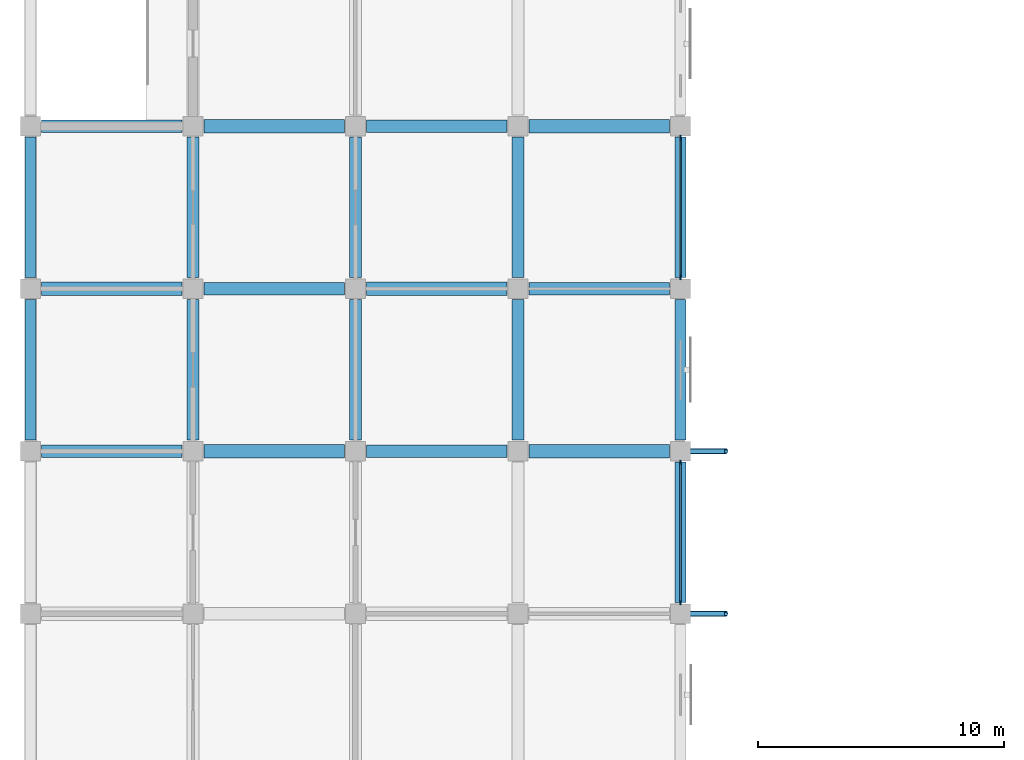
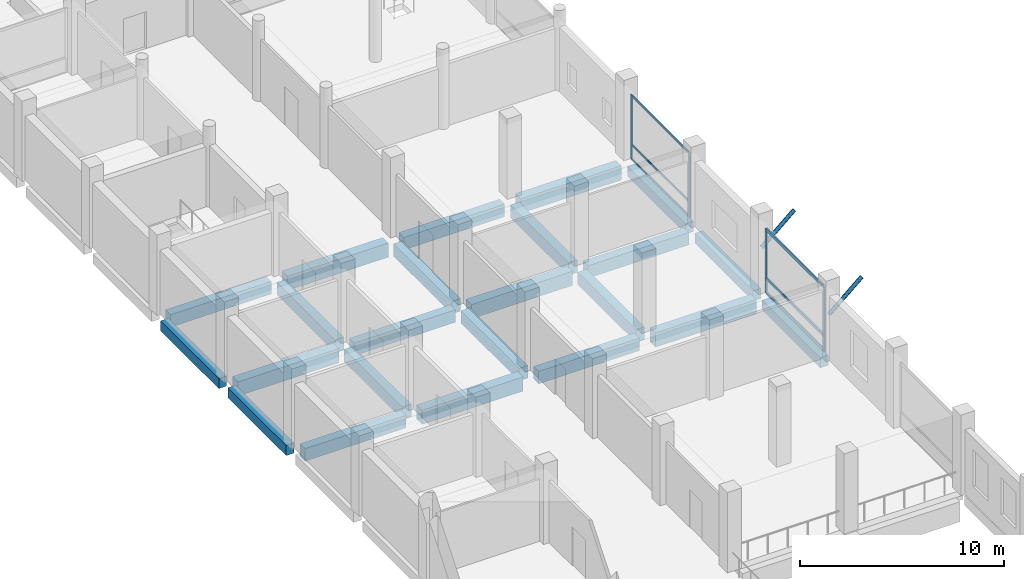
# One storey, part 12 of 34: 23 beams, 12 members, 2 elements without a shape of their own.
"""IFC4 building model written with IfcOpenShell, lengths in metres."""

import ifcopenshell
import ifcopenshell.guid

model = None  # the IFC model being written
_history = None  # IfcOwnerHistory: only IFC2X3 demands one
_inside = {}  # id of a spatial element -> (the spatial element, [elements in it])
_under = {}  # id of a project, library or spatial element -> (it, [spatial elements below it])
_declared = {}  # id of a project -> (the project, [libraries it declares])
_typed = {}  # id of a type object -> (the type object, [elements of that type])
_made_of = {}  # id of a material, layer set ... -> (it, [elements and type objects made of it])


def new_model(schema):
    """Start an empty IFC model of exactly this schema.

    Asked for "IFC4X3", IfcOpenShell would pick the latest addendum, in which some entities
    have other attributes; the version numbers below select the first issue.
    IFC2X3 requires an IfcOwnerHistory on every rooted entity: one is made here for all.
    """
    global model, _history
    if schema == "IFC4X3":
        model = ifcopenshell.file(schema_version=(4, 3, 0, 0))
    else:
        model = ifcopenshell.file(schema=schema)
    _inside.clear()
    _under.clear()
    _declared.clear()
    _typed.clear()
    _made_of.clear()
    _history = None
    if model.schema == "IFC2X3":
        org = make("IfcOrganization", Name="unknown")
        user = make(
            "IfcPersonAndOrganization",
            ThePerson=make("IfcPerson", FamilyName="unknown"),
            TheOrganization=org,
        )
        app = make(
            "IfcApplication",
            ApplicationDeveloper=org,
            Version="unknown",
            ApplicationFullName="unknown",
            ApplicationIdentifier="unknown",
        )
        _history = make(
            "IfcOwnerHistory",
            OwningUser=user,
            OwningApplication=app,
            ChangeAction="ADDED",
            CreationDate=0,
        )
    return model


def make(cls, **values):
    """One entity of the class cls with the attributes given. An attribute that is None is left unset."""
    return model.create_entity(
        cls, **{name: value for name, value in values.items() if value is not None}
    )


def rooted(cls, **values):
    """An entity with a GlobalId (a new one), such as an element, a storey or a relation."""
    return make(cls, GlobalId=ifcopenshell.guid.new(), OwnerHistory=_history, **values)


def si_unit(unit_type, name, prefix=None):
    """IfcSIUnit, for example si_unit("LENGTHUNIT", "METRE", prefix="MILLI")."""
    return make("IfcSIUnit", UnitType=unit_type, Prefix=prefix, Name=name)


def assignment(units):
    """IfcUnitAssignment: the units of a project."""
    return None if units is None else make("IfcUnitAssignment", Units=units)


def point(xyz):
    """IfcCartesianPoint."""
    return None if xyz is None else make("IfcCartesianPoint", Coordinates=xyz)


def direction(xyz):
    """IfcDirection."""
    return None if xyz is None else make("IfcDirection", DirectionRatios=xyz)


def frame(location, z_axis=None, x_axis=None):
    """IfcAxis2Placement3D, a coordinate frame: its origin and axes. An axis left out is left unset."""
    return make(
        "IfcAxis2Placement3D",
        Location=point(location),
        Axis=direction(z_axis),
        RefDirection=direction(x_axis),
    )


def frame_2d(location, x_axis=None):
    """IfcAxis2Placement2D, a coordinate frame in the plane: its origin and x axis."""
    return make(
        "IfcAxis2Placement2D", Location=point(location), RefDirection=direction(x_axis)
    )


def origin():
    """The frame at (0, 0, 0) with its axes left unset."""
    return frame((0.0, 0.0, 0.0))


def origin_2d():
    """The frame at (0, 0) in the plane with its x axis left unset."""
    return frame_2d((0.0, 0.0))


def place(relative_to, where):
    """IfcLocalPlacement: puts the frame where relative to a parent placement (None: the world)."""
    return make(
        "IfcLocalPlacement", PlacementRelTo=relative_to, RelativePlacement=where
    )


def context(
    kind, dimensions, precision=None, world=None, true_north=None, identifier=None
):
    """IfcGeometricRepresentationContext, for example the 3D "Model" context."""
    return make(
        "IfcGeometricRepresentationContext",
        ContextIdentifier=identifier,
        ContextType=kind,
        CoordinateSpaceDimension=dimensions,
        Precision=precision,
        WorldCoordinateSystem=world,
        TrueNorth=true_north,
    )


def subcontext(parent, identifier, kind, view, scale=None):
    """IfcGeometricRepresentationSubContext, for example "Body" below "Model"."""
    return make(
        "IfcGeometricRepresentationSubContext",
        ContextIdentifier=identifier,
        ContextType=kind,
        ParentContext=parent,
        TargetScale=scale,
        TargetView=view,
    )


def project(units=None, contexts=None):
    """IfcProject with its units and contexts."""
    return rooted(
        "IfcProject",
        Name="project",
        RepresentationContexts=contexts,
        UnitsInContext=assignment(units),
    )


def spatial(cls, under=None, at=None, **own):
    """A site, building, storey or space (cls), placed at a placement, below another one or the project."""
    s = rooted(cls, ObjectPlacement=at, **own)
    if under is not None:
        _under.setdefault(under.id(), (under, []))[1].append(s)
    return s


def profile(cls, at=None, kind="AREA", **sizes):
    """A parametric profile (cls). Its sizes go by their IFC names, for example OverallWidth=200.0."""
    return make(cls, ProfileType=kind, Position=at, **sizes)


def rectangle(**sizes):
    """IfcRectangleProfileDef."""
    return profile("IfcRectangleProfileDef", **sizes)


def hollow_circle(**sizes):
    """IfcCircleHollowProfileDef."""
    return profile("IfcCircleHollowProfileDef", **sizes)


def extrude(swept, where, along, depth):
    """IfcExtrudedAreaSolid: the profile swept, set in the frame where, extruded along a direction by depth."""
    return make(
        "IfcExtrudedAreaSolid",
        SweptArea=swept,
        Position=where,
        ExtrudedDirection=direction(along),
        Depth=depth,
    )


def shape(context_of_items, identifier, shape_type, items):
    """IfcShapeRepresentation: the items that make up one representation, for example the "Body"."""
    return make(
        "IfcShapeRepresentation",
        ContextOfItems=context_of_items,
        RepresentationIdentifier=identifier,
        RepresentationType=shape_type,
        Items=items,
    )


def material(Name=None, Category=None):
    """IfcMaterial."""
    return make("IfcMaterial", Name=Name, Category=Category)


def material_profile(
    of_material, cross_section, Name=None, Category=None, Priority=None
):
    """IfcMaterialProfile: a cross section and its material."""
    return make(
        "IfcMaterialProfile",
        Name=Name,
        Material=of_material,
        Profile=cross_section,
        Priority=Priority,
        Category=Category,
    )


def profile_set(profiles, Name=None, composite=None):
    """IfcMaterialProfileSet."""
    return make(
        "IfcMaterialProfileSet",
        Name=Name,
        MaterialProfiles=profiles,
        CompositeProfile=composite,
    )


def made_of(thing, what):
    """Note that an element or type object is made of a material, layer set ...; save() writes the relation."""
    if what is not None:
        _made_of.setdefault(what.id(), (what, []))[1].append(thing)
    return thing


def type_object(cls, material=None, **own):
    """A type object (cls), such as IfcWallType, which elements share."""
    return made_of(rooted(cls, **own), material)


def element(
    cls,
    number,
    at=None,
    inside=None,
    cuts=None,
    type_object=None,
    material=None,
    context=None,
    identifier="Body",
    shape_type=None,
    held_by="IfcProductDefinitionShape",
    body=None,
    shapes=None,
    **own,
):
    """One element of the class cls, such as IfcWall. Its Tag is "e" and its number.

    at: its placement. inside: the storey or other place that contains it. cuts: it is an
    opening in that element (IfcRelVoidsElement). A single representation is given by context,
    identifier, shape_type and body (its items); several are given by shapes. held_by: the class
    of the entity that holds the representations. save() writes the other relations.
    """
    e = rooted(cls, Tag="e%d" % number, ObjectPlacement=at, **own)
    if body is not None:
        shapes = [shape(context, identifier, shape_type, body)]
    if shapes is not None:
        e.Representation = make(held_by, Representations=shapes)
    if inside is not None:
        _inside.setdefault(inside.id(), (inside, []))[1].append(e)
    if cuts is not None:
        rooted(
            "IfcRelVoidsElement", RelatingBuildingElement=cuts, RelatedOpeningElement=e
        )
    if type_object is not None:
        _typed.setdefault(type_object.id(), (type_object, []))[1].append(e)
    return made_of(e, material)


def aggregate(whole, parts):
    """IfcRelAggregates: a whole, such as a stair, and the parts it consists of."""
    return rooted("IfcRelAggregates", RelatingObject=whole, RelatedObjects=parts)


def save(model, path):
    """Write the relations noted so far, then the file.

    IfcRelAggregates (storeys below a building ...), IfcRelContainedInSpatialStructure (elements
    in a storey), IfcRelDefinesByType, IfcRelAssociatesMaterial and IfcRelDeclares: one each for
    every whole, place, type object, material and project.
    """
    for whole, parts in _under.values():
        aggregate(whole, parts)
    for where, things in _inside.values():
        rooted(
            "IfcRelContainedInSpatialStructure",
            RelatedElements=things,
            RelatingStructure=where,
        )
    for kind, things in _typed.values():
        rooted("IfcRelDefinesByType", RelatedObjects=things, RelatingType=kind)
    for what, things in _made_of.values():
        rooted("IfcRelAssociatesMaterial", RelatedObjects=things, RelatingMaterial=what)
    for by, libraries in _declared.values():
        rooted("IfcRelDeclares", RelatingContext=by, RelatedDefinitions=libraries)
    model.write(path)


model = new_model("IFC4")

# Units and contexts
model_context = context("Model", 3, precision=1e-05, world=origin(), true_north=direction((0.0, 1.0)))
body_context = subcontext(model_context, "Body", "Model", "MODEL_VIEW")
ifc_project = project(units=[si_unit("LENGTHUNIT", "METRE"), si_unit("AREAUNIT", "SQUARE_METRE"), si_unit("VOLUMEUNIT", "CUBIC_METRE"), si_unit("PLANEANGLEUNIT", "RADIAN"), si_unit("MASSUNIT", "GRAM", prefix="KILO")], contexts=[model_context])

# Site, building, storey
site_placement = place(None, origin())
site = spatial("IfcSite", under=ifc_project, at=site_placement, CompositionType="ELEMENT")
building_placement = place(site_placement, origin())
building = spatial("IfcBuilding", under=site, at=building_placement, Name="Rusizi Kubbe Research Institute", CompositionType="ELEMENT")
storey_placement = place(building_placement, frame((0.0, 0.0, 5.39990234375)))
storey = spatial("IfcBuildingStorey", under=building, at=storey_placement, Name="L01", CompositionType="ELEMENT", Elevation=5.39990234375)

# Beams
ifc_material_1 = material(Name="Concrete C40/50", Category="concrete")
ifc_material_profile_1 = material_profile(ifc_material_1, rectangle(XDim=0.449951171875, YDim=0.60009765625, at=origin_2d()), Name="RC450x600")
ifc_profile_set_1 = profile_set([ifc_material_profile_1], Name="Concrete C40/50")
beam_type_1 = type_object("IfcBeamType", Name="BM-RC450x600", PredefinedType="SPANDREL", material=ifc_profile_set_1)
beam_1_placement = place(storey_placement, frame((0.0, 112.64990234375, -0.64990234375), z_axis=(0.0, 1.0, 0.0), x_axis=(-1.0, 0.0, 0.0)))
element("IfcBeam", 1, at=beam_1_placement, inside=storey, type_object=beam_type_1, Name="Grid Beam V L01 (0,17)", PredefinedType="SPANDREL", context=body_context, shape_type="SweptSolid", body=[
    extrude(rectangle(XDim=0.449951171875, YDim=0.60009765625, at=origin_2d()), origin(), (0.0, 0.0, 1.0), 5.7001953125),
])
for number, where, z_axis, x_axis, name in (
    (2, (0.0, 119.25, -0.64990234375), (0.0, 1.0, 0.0), (-1.0, 0.0, 0.0), "Grid Beam V L01 (0,18)"),
    (3, (26.39990234375, 106.050048828125, -0.64990234375), (0.0, 1.0, 0.0), (-1.0, 0.0, 0.0), "Grid Beam V L01 (4,16)"),
):
    element("IfcBeam", number, at=place(storey_placement, frame(where, z_axis=z_axis, x_axis=x_axis)), inside=storey, type_object=beam_type_1, Name=name, PredefinedType="SPANDREL", context=body_context, shape_type="SweptSolid", body=[
        extrude(rectangle(XDim=0.449951171875, YDim=0.60009765625, at=origin_2d()), origin(), (0.0, 0.0, 1.0), 5.699951171875),
    ])
beam_2_placement = place(storey_placement, frame((26.39990234375, 112.64990234375, -0.64990234375), z_axis=(0.0, 1.0, 0.0), x_axis=(-1.0, 0.0, 0.0)))
element("IfcBeam", 4, at=beam_2_placement, inside=storey, type_object=beam_type_1, Name="Grid Beam V L01 (4,17)", PredefinedType="SPANDREL", context=body_context, shape_type="SweptSolid", body=[
    extrude(rectangle(XDim=0.449951171875, YDim=0.60009765625, at=origin_2d()), origin(), (0.0, 0.0, 1.0), 5.7001953125),
])
beam_3_placement = place(storey_placement, frame((26.39990234375, 119.25, -0.64990234375), z_axis=(0.0, 1.0, 0.0), x_axis=(-1.0, 0.0, 0.0)))
element("IfcBeam", 5, at=beam_3_placement, inside=storey, type_object=beam_type_1, Name="Grid Beam V L01 (4,18)", PredefinedType="SPANDREL", context=body_context, shape_type="SweptSolid", body=[
    extrude(rectangle(XDim=0.449951171875, YDim=0.60009765625, at=origin_2d()), origin(), (0.0, 0.0, 1.0), 5.699951171875),
])
ifc_material_2 = material(Name="Concrete C45/55", Category="concrete")
ifc_material_profile_2 = material_profile(ifc_material_2, rectangle(XDim=0.5, YDim=0.75, at=origin_2d()), Name="RC500x750B")
ifc_profile_set_2 = profile_set([ifc_material_profile_2], Name="Concrete C45/55")
beam_type_2 = type_object("IfcBeamType", Name="BM-RC500x750", PredefinedType="BEAM", material=ifc_profile_set_2)
for number, where, z_axis, x_axis, name in (
    (6, (0.449951171875, 112.199951171875, -0.724853515625), (1.0, 0.0, 0.0), (0.0, 1.0, 0.0), "Grid Beam H L01 (0,17)"),
    (7, (0.449951171875, 125.39990234375, -0.724853515625), (1.0, 0.0, 0.0), (0.0, 1.0, 0.0), "Grid Beam H L01 (0,19)"),
    (8, (7.050048828125, 118.800048828125, -0.724853515625), (1.0, 0.0, 0.0), (0.0, 1.0, 0.0), "Grid Beam H L01 (1,18)"),
):
    element("IfcBeam", number, at=place(storey_placement, frame(where, z_axis=z_axis, x_axis=x_axis)), inside=storey, type_object=beam_type_2, Name=name, PredefinedType="BEAM", context=body_context, shape_type="SweptSolid", body=[
        extrude(rectangle(XDim=0.5, YDim=0.75, at=origin_2d()), origin(), (0.0, 0.0, 1.0), 5.699951171875),
    ])
for number, where, z_axis, x_axis, name in (
    (9, (13.64990234375, 112.199951171875, -0.724853515625), (1.0, 0.0, 0.0), (0.0, 1.0, 0.0), "Grid Beam H L01 (2,17)"),
    (10, (13.64990234375, 125.39990234375, -0.724853515625), (1.0, 0.0, 0.0), (0.0, 1.0, 0.0), "Grid Beam H L01 (2,19)"),
):
    element("IfcBeam", number, at=place(storey_placement, frame(where, z_axis=z_axis, x_axis=x_axis)), inside=storey, type_object=beam_type_2, Name=name, PredefinedType="BEAM", context=body_context, shape_type="SweptSolid", body=[
        extrude(rectangle(XDim=0.5, YDim=0.75, at=origin_2d()), origin(), (0.0, 0.0, 1.0), 5.7001953125),
    ])
beam_4_placement = place(storey_placement, frame((20.25, 118.800048828125, -0.724853515625), z_axis=(1.0, 0.0, 0.0), x_axis=(0.0, 1.0, 0.0)))
element("IfcBeam", 11, at=beam_4_placement, inside=storey, type_object=beam_type_2, Name="Grid Beam H L01 (3,18)", PredefinedType="BEAM", context=body_context, shape_type="SweptSolid", body=[
    extrude(rectangle(XDim=0.5, YDim=0.75, at=origin_2d()), origin(), (0.0, 0.0, 1.0), 5.699951171875),
])
beam_5_placement = place(storey_placement, frame((6.60009765625, 112.64990234375, -0.724853515625), z_axis=(0.0, 1.0, 0.0), x_axis=(-1.0, 0.0, 0.0)))
element("IfcBeam", 12, at=beam_5_placement, inside=storey, type_object=beam_type_2, Name="Grid Beam V L01 (1,17)", PredefinedType="BEAM", context=body_context, shape_type="SweptSolid", body=[
    extrude(rectangle(XDim=0.5, YDim=0.75, at=origin_2d()), origin(), (0.0, 0.0, 1.0), 5.7001953125),
])
beam_6_placement = place(storey_placement, frame((6.60009765625, 119.25, -0.724853515625), z_axis=(0.0, 1.0, 0.0), x_axis=(-1.0, 0.0, 0.0)))
element("IfcBeam", 13, at=beam_6_placement, inside=storey, type_object=beam_type_2, Name="Grid Beam V L01 (1,18)", PredefinedType="BEAM", context=body_context, shape_type="SweptSolid", body=[
    extrude(rectangle(XDim=0.5, YDim=0.75, at=origin_2d()), origin(), (0.0, 0.0, 1.0), 5.699951171875),
])
beam_7_placement = place(storey_placement, frame((13.199951171875, 112.64990234375, -0.724853515625), z_axis=(0.0, 1.0, 0.0), x_axis=(-1.0, 0.0, 0.0)))
element("IfcBeam", 14, at=beam_7_placement, inside=storey, type_object=beam_type_2, Name="Grid Beam V L01 (2,17)", PredefinedType="BEAM", context=body_context, shape_type="SweptSolid", body=[
    extrude(rectangle(XDim=0.5, YDim=0.75, at=origin_2d()), origin(), (0.0, 0.0, 1.0), 5.7001953125),
])
beam_8_placement = place(storey_placement, frame((13.199951171875, 119.25, -0.724853515625), z_axis=(0.0, 1.0, 0.0), x_axis=(-1.0, 0.0, 0.0)))
element("IfcBeam", 15, at=beam_8_placement, inside=storey, type_object=beam_type_2, Name="Grid Beam V L01 (2,18)", PredefinedType="BEAM", context=body_context, shape_type="SweptSolid", body=[
    extrude(rectangle(XDim=0.5, YDim=0.75, at=origin_2d()), origin(), (0.0, 0.0, 1.0), 5.699951171875),
])
beam_9_placement = place(storey_placement, frame((19.800048828125, 112.64990234375, -0.724853515625), z_axis=(0.0, 1.0, 0.0), x_axis=(-1.0, 0.0, 0.0)))
element("IfcBeam", 16, at=beam_9_placement, inside=storey, type_object=beam_type_2, Name="Grid Beam V L01 (3,17)", PredefinedType="BEAM", context=body_context, shape_type="SweptSolid", body=[
    extrude(rectangle(XDim=0.5, YDim=0.75, at=origin_2d()), origin(), (0.0, 0.0, 1.0), 5.7001953125),
])
beam_10_placement = place(storey_placement, frame((19.800048828125, 119.25, -0.724853515625), z_axis=(0.0, 1.0, 0.0), x_axis=(-1.0, 0.0, 0.0)))
element("IfcBeam", 17, at=beam_10_placement, inside=storey, type_object=beam_type_2, Name="Grid Beam V L01 (3,18)", PredefinedType="BEAM", context=body_context, shape_type="SweptSolid", body=[
    extrude(rectangle(XDim=0.5, YDim=0.75, at=origin_2d()), origin(), (0.0, 0.0, 1.0), 5.699951171875),
])
ifc_material_3 = material(Name="Concrete C45/55", Category="concrete")
ifc_material_profile_3 = material_profile(ifc_material_3, rectangle(XDim=0.550048828125, YDim=0.85009765625, at=origin_2d()), Name="RC550x850")
ifc_profile_set_3 = profile_set([ifc_material_profile_3], Name="Concrete C45/55")
beam_type_3 = type_object("IfcBeamType", Name="BM-RC550x850", PredefinedType="BEAM", material=ifc_profile_set_3)
for number, where, z_axis, x_axis, name in (
    (18, (0.449951171875, 118.800048828125, -0.77490234375), (1.0, 0.0, 0.0), (0.0, 1.0, 0.0), "Grid Beam H L01 (0,18)"),
    (19, (7.050048828125, 112.199951171875, -0.77490234375), (1.0, 0.0, 0.0), (0.0, 1.0, 0.0), "Grid Beam H L01 (1,17)"),
    (20, (7.050048828125, 125.39990234375, -0.77490234375), (1.0, 0.0, 0.0), (0.0, 1.0, 0.0), "Grid Beam H L01 (1,19)"),
):
    element("IfcBeam", number, at=place(storey_placement, frame(where, z_axis=z_axis, x_axis=x_axis)), inside=storey, type_object=beam_type_3, Name=name, PredefinedType="BEAM", context=body_context, shape_type="SweptSolid", body=[
        extrude(rectangle(XDim=0.550048828125, YDim=0.85009765625, at=origin_2d()), origin(), (0.0, 0.0, 1.0), 5.699951171875),
    ])
beam_11_placement = place(storey_placement, frame((13.64990234375, 118.800048828125, -0.77490234375), z_axis=(1.0, 0.0, 0.0), x_axis=(0.0, 1.0, 0.0)))
element("IfcBeam", 21, at=beam_11_placement, inside=storey, type_object=beam_type_3, Name="Grid Beam H L01 (2,18)", PredefinedType="BEAM", context=body_context, shape_type="SweptSolid", body=[
    extrude(rectangle(XDim=0.550048828125, YDim=0.85009765625, at=origin_2d()), origin(), (0.0, 0.0, 1.0), 5.7001953125),
])
for number, where, z_axis, x_axis, name in (
    (22, (20.25, 112.199951171875, -0.77490234375), (1.0, 0.0, 0.0), (0.0, 1.0, 0.0), "Grid Beam H L01 (3,17)"),
    (23, (20.25, 125.39990234375, -0.77490234375), (1.0, 0.0, 0.0), (0.0, 1.0, 0.0), "Grid Beam H L01 (3,19)"),
):
    element("IfcBeam", number, at=place(storey_placement, frame(where, z_axis=z_axis, x_axis=x_axis)), inside=storey, type_object=beam_type_3, Name=name, PredefinedType="BEAM", context=body_context, shape_type="SweptSolid", body=[
        extrude(rectangle(XDim=0.550048828125, YDim=0.85009765625, at=origin_2d()), origin(), (0.0, 0.0, 1.0), 5.699951171875),
    ])

# Members
ifc_material_4 = material(Name="Steel S355", Category="steel")
ifc_material_profile_4 = material_profile(ifc_material_4, hollow_circle(Radius=0.109619140625, WallThickness=0.008056640625, at=origin_2d()), Name="CHS 219.1x8.0")
ifc_profile_set_4 = profile_set([ifc_material_profile_4], Name="Steel S355")
member_type_1 = type_object("IfcMemberType", Name="MB-CHS219", PredefinedType="BRACE", material=ifc_profile_set_4)
for number, where, z_axis, x_axis, name in (
    (24, (26.39990234375, 105.60009765625, 2.4501953125), (0.756409887843, 0.0, 0.654097914362), (0.0, 1.0, 0.0), "Cumba Diagonal Corbel Brace L02-2S"),
    (25, (26.39990234375, 112.199951171875, 2.4501953125), (0.756409887843, 0.0, 0.654097914362), (0.0, 1.0, 0.0), "Cumba Diagonal Corbel Brace L02-2N"),
):
    element("IfcMember", number, at=place(storey_placement, frame(where, z_axis=z_axis, x_axis=x_axis)), inside=storey, type_object=member_type_1, Name=name, PredefinedType="BRACE", context=body_context, shape_type="SweptSolid", body=[
        extrude(hollow_circle(Radius=0.109619140625, WallThickness=0.008056640625, at=origin_2d()), origin(), (0.0, 0.0, 1.0), 2.44580078125),
    ])

# Curtain wall, members
ifc_material_5 = material(Name="Thermally Broken Aluminium and Low-E Glazing", Category="aluminium")
curtain_wall_type = type_object("IfcCurtainWallType", Name="CW-17", PredefinedType="NOTDEFINED", material=ifc_material_5)
curtain_wall_1_placement = place(storey_placement, origin())
curtain_wall_1 = element("IfcCurtainWall", 26, at=curtain_wall_1_placement, inside=storey, type_object=curtain_wall_type, Name="Unitised Facade Curtain Wall CW-L01-V-04-16", PredefinedType="NOTDEFINED")
ifc_material_6 = material(Name="Aluminium Alloy 6063-T6", Category="aluminium")
ifc_material_profile_5 = material_profile(ifc_material_6, rectangle(XDim=0.06005859375, YDim=0.179931640625, at=origin_2d()), Name="ALU-M 60x180")
ifc_profile_set_5 = profile_set([ifc_material_profile_5], Name="Aluminium Alloy 6063-T6")
member_type_2 = type_object("IfcMemberType", Name="ML-02", PredefinedType="MULLION", material=ifc_profile_set_5)
member_1_placement = place(storey_placement, frame((26.39990234375, 106.06005859375, 0.0), z_axis=(0.0, 0.0, 1.0), x_axis=(-1.0, 0.0, 0.0)))
member_1 = element("IfcMember", 27, at=member_1_placement, type_object=member_type_2, Name="CW-17 mullion 1", PredefinedType="MULLION", context=body_context, shape_type="SweptSolid", body=[
    extrude(rectangle(XDim=0.06005859375, YDim=0.179931640625, at=origin_2d()), origin(), (0.0, 0.0, 1.0), 3.85009765625),
])
member_2_placement = place(storey_placement, frame((26.39990234375, 111.739990234375, 0.0), z_axis=(0.0, 0.0, 1.0), x_axis=(-1.0, 0.0, 0.0)))
member_2 = element("IfcMember", 28, at=member_2_placement, type_object=member_type_2, Name="CW-17 mullion 2", PredefinedType="MULLION", context=body_context, shape_type="SweptSolid", body=[
    extrude(rectangle(XDim=0.06005859375, YDim=0.179931640625, at=origin_2d()), origin(), (0.0, 0.0, 1.0), 3.85009765625),
])

curtain_wall_2_placement = place(storey_placement, origin())
curtain_wall_2 = element("IfcCurtainWall", 29, at=curtain_wall_2_placement, inside=storey, type_object=curtain_wall_type, Name="Unitised Facade Curtain Wall CW-L01-V-04-18", PredefinedType="NOTDEFINED")
ifc_material_7 = material(Name="Aluminium Alloy 6063-T6", Category="aluminium")
ifc_material_profile_6 = material_profile(ifc_material_7, rectangle(XDim=0.06494140625, YDim=0.199951171875, at=origin_2d()), Name="ALU-M 65x200")
ifc_profile_set_6 = profile_set([ifc_material_profile_6], Name="Aluminium Alloy 6063-T6")
member_type_3 = type_object("IfcMemberType", Name="ML-03", PredefinedType="MULLION", material=ifc_profile_set_6)
member_3_placement = place(storey_placement, frame((26.39990234375, 119.262451171875, 0.0), z_axis=(0.0, 0.0, 1.0), x_axis=(-1.0, 0.0, 0.0)))
member_3 = element("IfcMember", 30, at=member_3_placement, type_object=member_type_3, Name="CW-17 mullion 1", PredefinedType="MULLION", context=body_context, shape_type="SweptSolid", body=[
    extrude(rectangle(XDim=0.06494140625, YDim=0.199951171875, at=origin_2d()), origin(), (0.0, 0.0, 1.0), 3.85009765625),
])
member_4_placement = place(storey_placement, frame((26.39990234375, 124.9375, 0.0), z_axis=(0.0, 0.0, 1.0), x_axis=(-1.0, 0.0, 0.0)))
member_4 = element("IfcMember", 31, at=member_4_placement, type_object=member_type_3, Name="CW-17 mullion 2", PredefinedType="MULLION", context=body_context, shape_type="SweptSolid", body=[
    extrude(rectangle(XDim=0.06494140625, YDim=0.199951171875, at=origin_2d()), origin(), (0.0, 0.0, 1.0), 3.85009765625),
])
ifc_material_8 = material(Name="Aluminium Alloy 6063-T6", Category="aluminium")
ifc_material_profile_7 = material_profile(ifc_material_8, rectangle(XDim=0.06005859375, YDim=0.1201171875, at=origin_2d()), Name="ALU-T 60x120")
ifc_profile_set_7 = profile_set([ifc_material_profile_7], Name="Aluminium Alloy 6063-T6")
member_type_4 = type_object("IfcMemberType", Name="TR-01", PredefinedType="USERDEFINED", material=ifc_profile_set_7)
member_5_placement = place(storey_placement, frame((26.39990234375, 119.294921875, 0.030029296875), z_axis=(0.0, 1.0, 0.0), x_axis=(-1.0, 0.0, 0.0)))
member_5 = element("IfcMember", 32, at=member_5_placement, type_object=member_type_4, Name="CW-17 transom 1.1", ObjectType="TRANSOM", PredefinedType="USERDEFINED", context=body_context, shape_type="SweptSolid", body=[
    extrude(rectangle(XDim=0.06005859375, YDim=0.1201171875, at=origin_2d()), origin(), (0.0, 0.0, 1.0), 5.610107421875),
])
member_6_placement = place(storey_placement, frame((26.39990234375, 119.294921875, 0.900146484375), z_axis=(0.0, 1.0, 0.0), x_axis=(-1.0, 0.0, 0.0)))
member_6 = element("IfcMember", 33, at=member_6_placement, type_object=member_type_4, Name="CW-17 transom 1.2", ObjectType="TRANSOM", PredefinedType="USERDEFINED", context=body_context, shape_type="SweptSolid", body=[
    extrude(rectangle(XDim=0.06005859375, YDim=0.1201171875, at=origin_2d()), origin(), (0.0, 0.0, 1.0), 5.610107421875),
])
member_7_placement = place(storey_placement, frame((26.39990234375, 119.294921875, 3.820068359375), z_axis=(0.0, 1.0, 0.0), x_axis=(-1.0, 0.0, 0.0)))
member_7 = element("IfcMember", 34, at=member_7_placement, type_object=member_type_4, Name="CW-17 transom 1.3", ObjectType="TRANSOM", PredefinedType="USERDEFINED", context=body_context, shape_type="SweptSolid", body=[
    extrude(rectangle(XDim=0.06005859375, YDim=0.1201171875, at=origin_2d()), origin(), (0.0, 0.0, 1.0), 5.610107421875),
])
aggregate(curtain_wall_2, [member_3, member_4, member_5, member_6, member_7])

# Member
ifc_material_9 = material(Name="Aluminium Alloy 6063-T6", Category="aluminium")
ifc_material_profile_8 = material_profile(ifc_material_9, rectangle(XDim=0.070068359375, YDim=0.18994140625, at=origin_2d()), Name="ALU-T 70x190")
ifc_profile_set_8 = profile_set([ifc_material_profile_8], Name="Aluminium Alloy 6063-T6")
member_type_5 = type_object("IfcMemberType", Name="TR-04", PredefinedType="USERDEFINED", material=ifc_profile_set_8)
member_8_placement = place(storey_placement, frame((26.39990234375, 106.090087890625, 0.03515625), z_axis=(0.0, 1.0, 0.0), x_axis=(-1.0, 0.0, 0.0)))
member_8 = element("IfcMember", 35, at=member_8_placement, type_object=member_type_5, Name="CW-17 transom 1.1", ObjectType="TRANSOM", PredefinedType="USERDEFINED", context=body_context, shape_type="SweptSolid", body=[
    extrude(rectangle(XDim=0.070068359375, YDim=0.18994140625, at=origin_2d()), origin(), (0.0, 0.0, 1.0), 5.619873046875),
])

member_9_placement = place(storey_placement, frame((26.39990234375, 106.090087890625, 0.900146484375), z_axis=(0.0, 1.0, 0.0), x_axis=(-1.0, 0.0, 0.0)))
member_9 = element("IfcMember", 36, at=member_9_placement, type_object=member_type_5, Name="CW-17 transom 1.2", ObjectType="TRANSOM", PredefinedType="USERDEFINED", context=body_context, shape_type="SweptSolid", body=[
    extrude(rectangle(XDim=0.070068359375, YDim=0.18994140625, at=origin_2d()), origin(), (0.0, 0.0, 1.0), 5.619873046875),
])

member_10_placement = place(storey_placement, frame((26.39990234375, 106.090087890625, 3.815185546875), z_axis=(0.0, 1.0, 0.0), x_axis=(-1.0, 0.0, 0.0)))
member_10 = element("IfcMember", 37, at=member_10_placement, type_object=member_type_5, Name="CW-17 transom 1.3", ObjectType="TRANSOM", PredefinedType="USERDEFINED", context=body_context, shape_type="SweptSolid", body=[
    extrude(rectangle(XDim=0.070068359375, YDim=0.18994140625, at=origin_2d()), origin(), (0.0, 0.0, 1.0), 5.619873046875),
])

aggregate(curtain_wall_1, [member_1, member_2, member_8, member_9, member_10])

save(model, "model.ifc")
